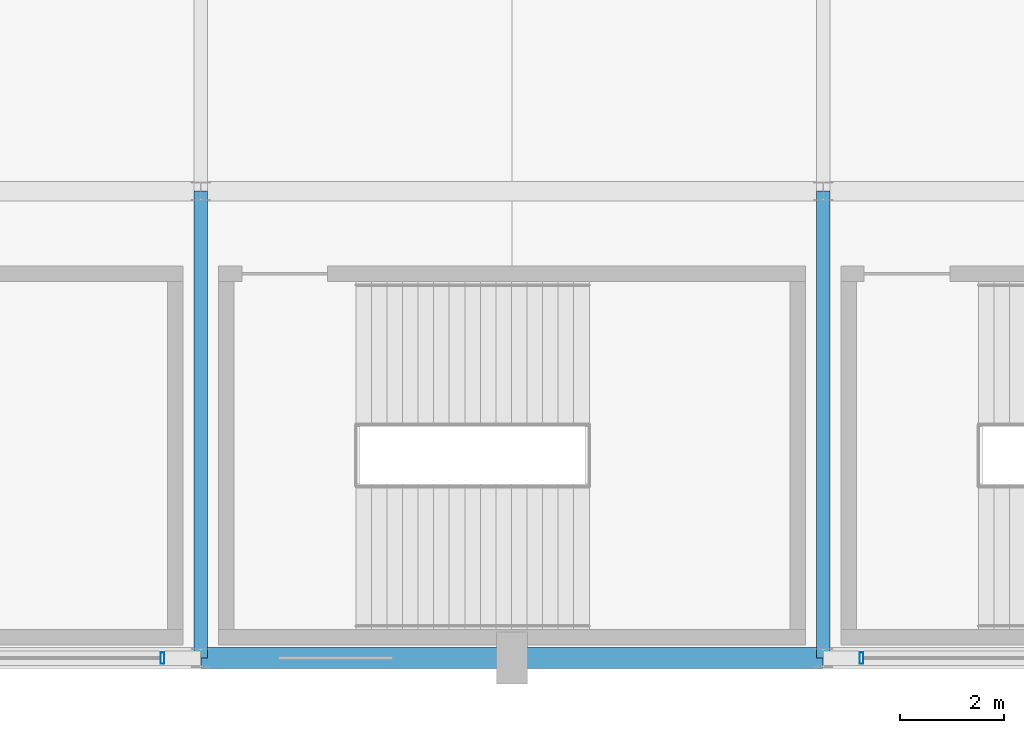
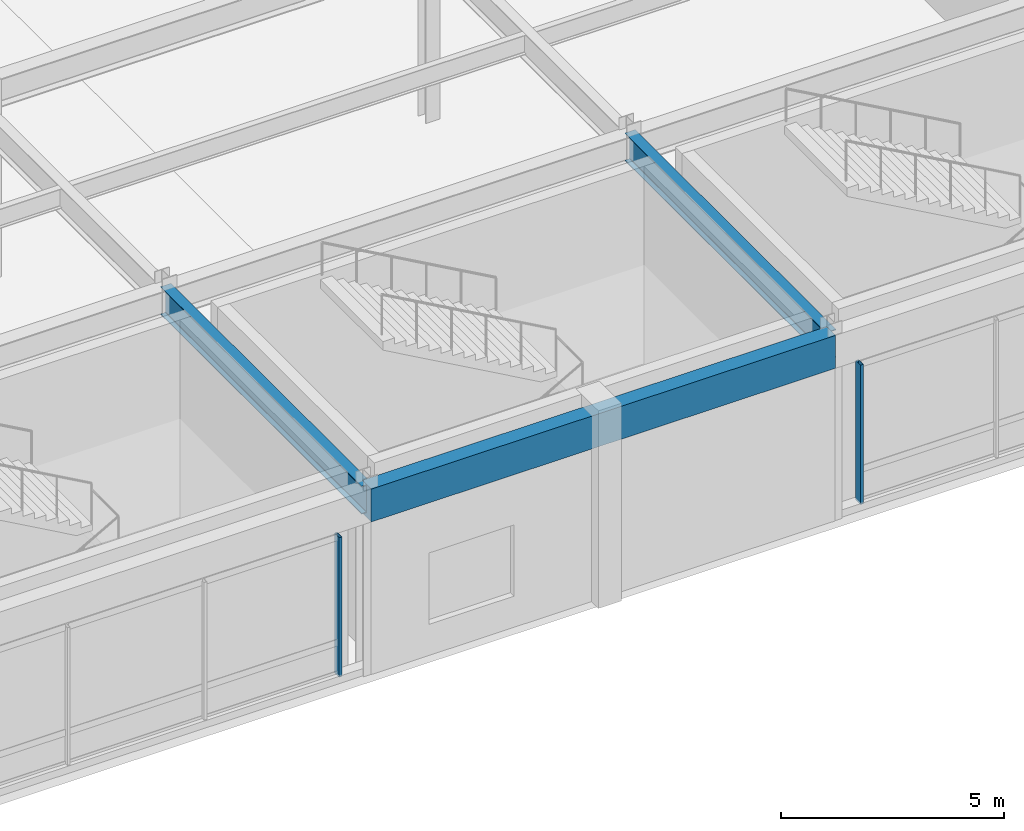
# One storey, part 32 of 100: 3 beams, 2 members, 2 elements without a shape of their own.
"""IFC4 building model written with IfcOpenShell, lengths in metres."""

import ifcopenshell
import ifcopenshell.guid

model = None  # the IFC model being written
_history = None  # IfcOwnerHistory: only IFC2X3 demands one
_inside = {}  # id of a spatial element -> (the spatial element, [elements in it])
_under = {}  # id of a project, library or spatial element -> (it, [spatial elements below it])
_declared = {}  # id of a project -> (the project, [libraries it declares])
_typed = {}  # id of a type object -> (the type object, [elements of that type])
_made_of = {}  # id of a material, layer set ... -> (it, [elements and type objects made of it])


def new_model(schema):
    """Start an empty IFC model of exactly this schema.

    Asked for "IFC4X3", IfcOpenShell would pick the latest addendum, in which some entities
    have other attributes; the version numbers below select the first issue.
    IFC2X3 requires an IfcOwnerHistory on every rooted entity: one is made here for all.
    """
    global model, _history
    if schema == "IFC4X3":
        model = ifcopenshell.file(schema_version=(4, 3, 0, 0))
    else:
        model = ifcopenshell.file(schema=schema)
    _inside.clear()
    _under.clear()
    _declared.clear()
    _typed.clear()
    _made_of.clear()
    _history = None
    if model.schema == "IFC2X3":
        org = make("IfcOrganization", Name="unknown")
        user = make(
            "IfcPersonAndOrganization",
            ThePerson=make("IfcPerson", FamilyName="unknown"),
            TheOrganization=org,
        )
        app = make(
            "IfcApplication",
            ApplicationDeveloper=org,
            Version="unknown",
            ApplicationFullName="unknown",
            ApplicationIdentifier="unknown",
        )
        _history = make(
            "IfcOwnerHistory",
            OwningUser=user,
            OwningApplication=app,
            ChangeAction="ADDED",
            CreationDate=0,
        )
    return model


def make(cls, **values):
    """One entity of the class cls with the attributes given. An attribute that is None is left unset."""
    return model.create_entity(
        cls, **{name: value for name, value in values.items() if value is not None}
    )


def rooted(cls, **values):
    """An entity with a GlobalId (a new one), such as an element, a storey or a relation."""
    return make(cls, GlobalId=ifcopenshell.guid.new(), OwnerHistory=_history, **values)


def si_unit(unit_type, name, prefix=None):
    """IfcSIUnit, for example si_unit("LENGTHUNIT", "METRE", prefix="MILLI")."""
    return make("IfcSIUnit", UnitType=unit_type, Prefix=prefix, Name=name)


def assignment(units):
    """IfcUnitAssignment: the units of a project."""
    return None if units is None else make("IfcUnitAssignment", Units=units)


def point(xyz):
    """IfcCartesianPoint."""
    return None if xyz is None else make("IfcCartesianPoint", Coordinates=xyz)


def direction(xyz):
    """IfcDirection."""
    return None if xyz is None else make("IfcDirection", DirectionRatios=xyz)


def frame(location, z_axis=None, x_axis=None):
    """IfcAxis2Placement3D, a coordinate frame: its origin and axes. An axis left out is left unset."""
    return make(
        "IfcAxis2Placement3D",
        Location=point(location),
        Axis=direction(z_axis),
        RefDirection=direction(x_axis),
    )


def frame_2d(location, x_axis=None):
    """IfcAxis2Placement2D, a coordinate frame in the plane: its origin and x axis."""
    return make(
        "IfcAxis2Placement2D", Location=point(location), RefDirection=direction(x_axis)
    )


def origin():
    """The frame at (0, 0, 0) with its axes left unset."""
    return frame((0.0, 0.0, 0.0))


def origin_2d():
    """The frame at (0, 0) in the plane with its x axis left unset."""
    return frame_2d((0.0, 0.0))


def place(relative_to, where):
    """IfcLocalPlacement: puts the frame where relative to a parent placement (None: the world)."""
    return make(
        "IfcLocalPlacement", PlacementRelTo=relative_to, RelativePlacement=where
    )


def context(
    kind, dimensions, precision=None, world=None, true_north=None, identifier=None
):
    """IfcGeometricRepresentationContext, for example the 3D "Model" context."""
    return make(
        "IfcGeometricRepresentationContext",
        ContextIdentifier=identifier,
        ContextType=kind,
        CoordinateSpaceDimension=dimensions,
        Precision=precision,
        WorldCoordinateSystem=world,
        TrueNorth=true_north,
    )


def subcontext(parent, identifier, kind, view, scale=None):
    """IfcGeometricRepresentationSubContext, for example "Body" below "Model"."""
    return make(
        "IfcGeometricRepresentationSubContext",
        ContextIdentifier=identifier,
        ContextType=kind,
        ParentContext=parent,
        TargetScale=scale,
        TargetView=view,
    )


def project(units=None, contexts=None):
    """IfcProject with its units and contexts."""
    return rooted(
        "IfcProject",
        Name="project",
        RepresentationContexts=contexts,
        UnitsInContext=assignment(units),
    )


def spatial(cls, under=None, at=None, **own):
    """A site, building, storey or space (cls), placed at a placement, below another one or the project."""
    s = rooted(cls, ObjectPlacement=at, **own)
    if under is not None:
        _under.setdefault(under.id(), (under, []))[1].append(s)
    return s


def profile(cls, at=None, kind="AREA", **sizes):
    """A parametric profile (cls). Its sizes go by their IFC names, for example OverallWidth=200.0."""
    return make(cls, ProfileType=kind, Position=at, **sizes)


def rectangle(**sizes):
    """IfcRectangleProfileDef."""
    return profile("IfcRectangleProfileDef", **sizes)


def hollow_rectangle(**sizes):
    """IfcRectangleHollowProfileDef."""
    return profile("IfcRectangleHollowProfileDef", **sizes)


def i_section(**sizes):
    """IfcIShapeProfileDef."""
    return profile("IfcIShapeProfileDef", **sizes)


def extrude(swept, where, along, depth):
    """IfcExtrudedAreaSolid: the profile swept, set in the frame where, extruded along a direction by depth."""
    return make(
        "IfcExtrudedAreaSolid",
        SweptArea=swept,
        Position=where,
        ExtrudedDirection=direction(along),
        Depth=depth,
    )


def shape(context_of_items, identifier, shape_type, items):
    """IfcShapeRepresentation: the items that make up one representation, for example the "Body"."""
    return make(
        "IfcShapeRepresentation",
        ContextOfItems=context_of_items,
        RepresentationIdentifier=identifier,
        RepresentationType=shape_type,
        Items=items,
    )


def material(Name=None, Category=None):
    """IfcMaterial."""
    return make("IfcMaterial", Name=Name, Category=Category)


def material_profile(
    of_material, cross_section, Name=None, Category=None, Priority=None
):
    """IfcMaterialProfile: a cross section and its material."""
    return make(
        "IfcMaterialProfile",
        Name=Name,
        Material=of_material,
        Profile=cross_section,
        Priority=Priority,
        Category=Category,
    )


def profile_set(profiles, Name=None, composite=None):
    """IfcMaterialProfileSet."""
    return make(
        "IfcMaterialProfileSet",
        Name=Name,
        MaterialProfiles=profiles,
        CompositeProfile=composite,
    )


def made_of(thing, what):
    """Note that an element or type object is made of a material, layer set ...; save() writes the relation."""
    if what is not None:
        _made_of.setdefault(what.id(), (what, []))[1].append(thing)
    return thing


def type_object(cls, material=None, **own):
    """A type object (cls), such as IfcWallType, which elements share."""
    return made_of(rooted(cls, **own), material)


def element(
    cls,
    number,
    at=None,
    inside=None,
    cuts=None,
    type_object=None,
    material=None,
    context=None,
    identifier="Body",
    shape_type=None,
    held_by="IfcProductDefinitionShape",
    body=None,
    shapes=None,
    **own,
):
    """One element of the class cls, such as IfcWall. Its Tag is "e" and its number.

    at: its placement. inside: the storey or other place that contains it. cuts: it is an
    opening in that element (IfcRelVoidsElement). A single representation is given by context,
    identifier, shape_type and body (its items); several are given by shapes. held_by: the class
    of the entity that holds the representations. save() writes the other relations.
    """
    e = rooted(cls, Tag="e%d" % number, ObjectPlacement=at, **own)
    if body is not None:
        shapes = [shape(context, identifier, shape_type, body)]
    if shapes is not None:
        e.Representation = make(held_by, Representations=shapes)
    if inside is not None:
        _inside.setdefault(inside.id(), (inside, []))[1].append(e)
    if cuts is not None:
        rooted(
            "IfcRelVoidsElement", RelatingBuildingElement=cuts, RelatedOpeningElement=e
        )
    if type_object is not None:
        _typed.setdefault(type_object.id(), (type_object, []))[1].append(e)
    return made_of(e, material)


def aggregate(whole, parts):
    """IfcRelAggregates: a whole, such as a stair, and the parts it consists of."""
    return rooted("IfcRelAggregates", RelatingObject=whole, RelatedObjects=parts)


def save(model, path):
    """Write the relations noted so far, then the file.

    IfcRelAggregates (storeys below a building ...), IfcRelContainedInSpatialStructure (elements
    in a storey), IfcRelDefinesByType, IfcRelAssociatesMaterial and IfcRelDeclares: one each for
    every whole, place, type object, material and project.
    """
    for whole, parts in _under.values():
        aggregate(whole, parts)
    for where, things in _inside.values():
        rooted(
            "IfcRelContainedInSpatialStructure",
            RelatedElements=things,
            RelatingStructure=where,
        )
    for kind, things in _typed.values():
        rooted("IfcRelDefinesByType", RelatedObjects=things, RelatingType=kind)
    for what, things in _made_of.values():
        rooted("IfcRelAssociatesMaterial", RelatedObjects=things, RelatingMaterial=what)
    for by, libraries in _declared.values():
        rooted("IfcRelDeclares", RelatingContext=by, RelatedDefinitions=libraries)
    model.write(path)


model = new_model("IFC4")

# Units and contexts
model_context = context("Model", 3, precision=1e-05, world=origin(), true_north=direction((0.0, 1.0)))
body_context = subcontext(model_context, "Body", "Model", "MODEL_VIEW")
ifc_project = project(units=[si_unit("LENGTHUNIT", "METRE"), si_unit("AREAUNIT", "SQUARE_METRE"), si_unit("VOLUMEUNIT", "CUBIC_METRE"), si_unit("PLANEANGLEUNIT", "RADIAN"), si_unit("MASSUNIT", "GRAM", prefix="KILO")], contexts=[model_context])

# Site, building, storey
site_placement = place(None, origin())
site = spatial("IfcSite", under=ifc_project, at=site_placement, CompositionType="ELEMENT")
building_placement = place(site_placement, origin())
building = spatial("IfcBuilding", under=site, at=building_placement, Name="Kaldorvane Square Convention Centre", CompositionType="ELEMENT")
storey_placement = place(building_placement, frame((0.0, 0.0, 18.0)))
storey = spatial("IfcBuildingStorey", under=building, at=storey_placement, Name="L03", CompositionType="ELEMENT", Elevation=18.0)

# Beams
ifc_material_1 = material(Name="Steel ASTM A992 Gr. 50", Category="steel")
ifc_material_profile_1 = material_profile(ifc_material_1, i_section(OverallWidth=0.2666015625, OverallDepth=0.762298583984375, WebThickness=0.014404296875, FlangeThickness=0.0216064453125, FilletRadius=0.0164947509765625, at=origin_2d()), Name="W30X116")
ifc_profile_set_1 = profile_set([ifc_material_profile_1], Name="Steel ASTM A992 Gr. 50")
beam_type_1 = type_object("IfcBeamType", Name="BM-GR-W30X116", PredefinedType="BEAM", material=ifc_profile_set_1)
for number, where, z_axis, x_axis, name in (
    (1, (114.0, 0.0, 4.694793701171875), (0.0, 1.0, 0.0), (-1.0, 0.0, 0.0), "Transverse Girder (L03)"),
    (2, (126.0, 0.0, 4.694793701171875), (0.0, 1.0, 0.0), (-1.0, 0.0, 0.0), "Transverse Girder (L03)"),
):
    element("IfcBeam", number, at=place(storey_placement, frame(where, z_axis=z_axis, x_axis=x_axis)), inside=storey, type_object=beam_type_1, Name=name, PredefinedType="BEAM", context=body_context, shape_type="SweptSolid", body=[
        extrude(i_section(OverallWidth=0.2666015625, OverallDepth=0.762298583984375, WebThickness=0.014404296875, FlangeThickness=0.0216064453125, FilletRadius=0.0164947509765625, at=origin_2d()), origin(), (0.0, 0.0, 1.0), 9.0),
    ])
ifc_material_2 = material(Name="Concrete f'c = 42 MPa (Normalweight)", Category="concrete")
ifc_material_profile_2 = material_profile(ifc_material_2, rectangle(XDim=0.399993896484375, YDim=0.899993896484375, at=origin_2d()), Name="RCSP900X400")
ifc_profile_set_2 = profile_set([ifc_material_profile_2], Name="Concrete f'c = 42 MPa (Normalweight)")
beam_type_2 = type_object("IfcBeamType", Name="BM-SP-RC900", PredefinedType="SPANDREL", material=ifc_profile_set_2)
beam_placement = place(storey_placement, frame((114.0, 0.0, 4.626007080078125), z_axis=(1.0, 0.0, 0.0), x_axis=(0.0, 1.0, 0.0)))
element("IfcBeam", 3, at=beam_placement, inside=storey, type_object=beam_type_2, Name="Perimeter Spandrel (L03)", PredefinedType="SPANDREL", context=body_context, shape_type="SweptSolid", body=[
    extrude(rectangle(XDim=0.399993896484375, YDim=0.899993896484375, at=origin_2d()), origin(), (0.0, 0.0, 1.0), 12.0),
])

# Curtain wall, member
ifc_material_3 = material(Name="Anodized Aluminum and Low-E Insulated Glazing", Category="aluminium")
curtain_wall_type = type_object("IfcCurtainWallType", Name="CW-UNI-P54-12", PredefinedType="USERDEFINED", material=ifc_material_3)
curtain_wall_1_placement = place(storey_placement, origin())
curtain_wall_1 = element("IfcCurtainWall", 4, at=curtain_wall_1_placement, inside=storey, type_object=curtain_wall_type, Name="Curtain Wall CW-03 (L03)", ObjectType="UNITISED GLAZING", PredefinedType="USERDEFINED")
ifc_material_profile_3 = material_profile(ifc_material_3, hollow_rectangle(XDim=0.0749969482421875, YDim=0.220001220703125, WallThickness=0.003997802734375, at=origin_2d()), Name="CWM-220X75")
ifc_profile_set_3 = profile_set([ifc_material_profile_3], Name="Anodized Aluminum and Low-E Insulated Glazing")
member_type = type_object("IfcMemberType", Name="CW-MUL-220", PredefinedType="MULLION", material=ifc_profile_set_3)
member_1_placement = place(storey_placement, frame((113.26249694824219, 0.0, 0.149993896484375), z_axis=(0.0, 0.0, 1.0), x_axis=(1.0, 0.0, 0.0)))
member_1 = element("IfcMember", 5, at=member_1_placement, type_object=member_type, Name="CW-03 mullion 4", PredefinedType="MULLION", context=body_context, shape_type="SweptSolid", body=[
    extrude(hollow_rectangle(XDim=0.0749969482421875, YDim=0.220001220703125, WallThickness=0.003997802734375, at=origin_2d()), origin(), (0.0, 0.0, 1.0), 3.8100128173828125),
])
aggregate(curtain_wall_1, [member_1])

curtain_wall_2_placement = place(storey_placement, origin())
curtain_wall_2 = element("IfcCurtainWall", 6, at=curtain_wall_2_placement, inside=storey, type_object=curtain_wall_type, Name="Curtain Wall CW-03 (L03)", ObjectType="UNITISED GLAZING", PredefinedType="USERDEFINED")
member_2_placement = place(storey_placement, frame((126.73750305175781, 0.0, 0.149993896484375), z_axis=(0.0, 0.0, 1.0), x_axis=(1.0, 0.0, 0.0)))
member_2 = element("IfcMember", 7, at=member_2_placement, type_object=member_type, Name="CW-03 mullion 1", PredefinedType="MULLION", context=body_context, shape_type="SweptSolid", body=[
    extrude(hollow_rectangle(XDim=0.0749969482421875, YDim=0.220001220703125, WallThickness=0.003997802734375, at=origin_2d()), origin(), (0.0, 0.0, 1.0), 3.8100128173828125),
])
aggregate(curtain_wall_2, [member_2])

save(model, "model.ifc")
